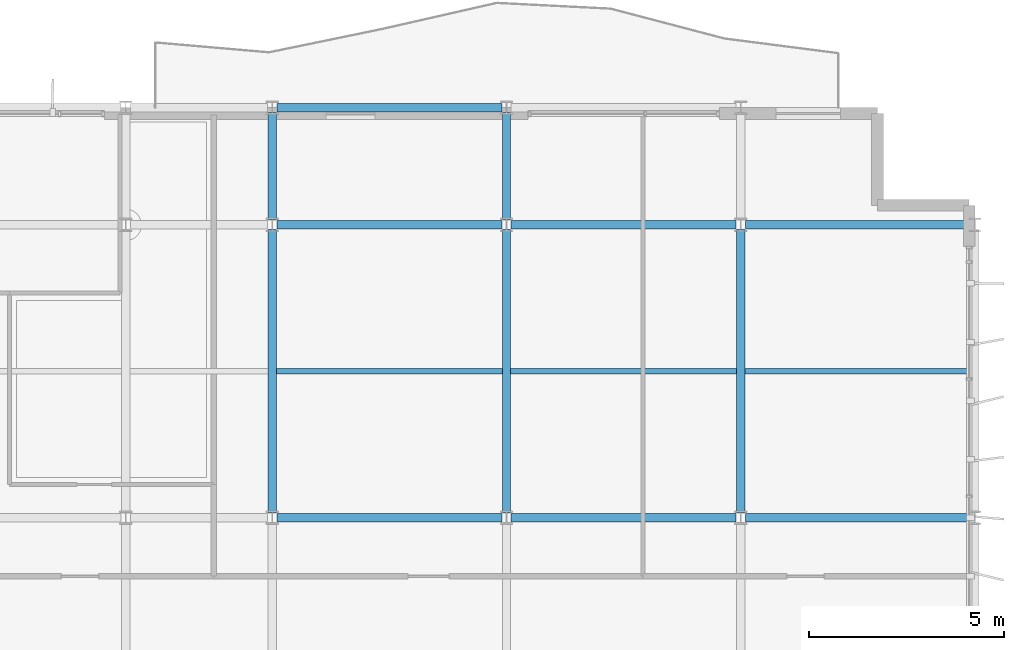
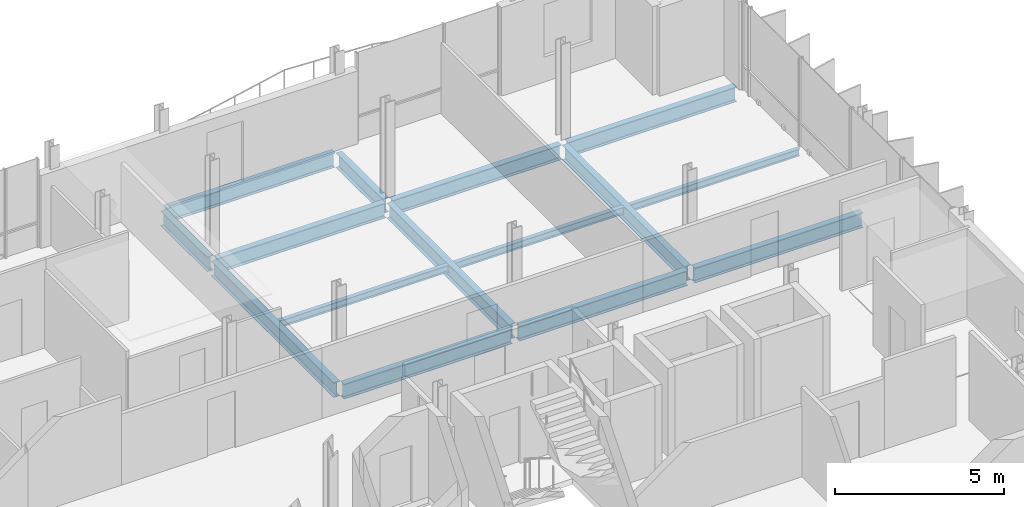
# One storey, part 3 of 12: 15 beams.
"""IFC4 building model written with IfcOpenShell, lengths in metres."""

from ifc_helpers import new_model, si_unit, direction, frame, origin, origin_2d, place, context, subcontext, project, spatial, i_section, extrude, material, material_profile, profile_set, type_object, element, save


model = new_model("IFC4")

# Units and contexts
model_context = context("Model", 3, precision=1e-05, world=origin(), true_north=direction((0.0, 1.0)))
body_context = subcontext(model_context, "Body", "Model", "MODEL_VIEW")
ifc_project = project(units=[si_unit("LENGTHUNIT", "METRE"), si_unit("AREAUNIT", "SQUARE_METRE"), si_unit("VOLUMEUNIT", "CUBIC_METRE"), si_unit("PLANEANGLEUNIT", "RADIAN"), si_unit("MASSUNIT", "GRAM", prefix="KILO")], contexts=[model_context])

# Site, building, storey
site_placement = place(None, origin())
site = spatial("IfcSite", under=ifc_project, at=site_placement, CompositionType="ELEMENT")
building_placement = place(site_placement, origin())
building = spatial("IfcBuilding", under=site, at=building_placement, Name="Brevholm Reach", CompositionType="ELEMENT")
storey_placement = place(building_placement, frame((0.0, 0.0, 236.60009765625)))
storey = spatial("IfcBuildingStorey", under=building, at=storey_placement, Name="L72", CompositionType="ELEMENT", Elevation=236.60009765625)

# Beams
ifc_material_1 = material(Name="Structural Steel S355J2", Category="steel")
ifc_material_profile_1 = material_profile(ifc_material_1, i_section(OverallWidth=0.14599609375, OverallDepth=0.25146484375, WebThickness=0.006103515625, FlangeThickness=0.008544921875, FilletRadius=0.007568359375, at=origin_2d()), Name="UKB 254x146x31")
ifc_profile_set_1 = profile_set([ifc_material_profile_1], Name="Structural Steel S355J2")
beam_type_1 = type_object("IfcBeamType", Name="BM-B254", PredefinedType="BEAM", material=ifc_profile_set_1)
for number, where, z_axis, x_axis, name in (
    (1, (42.10546875, 19.75, -0.335693359375), (1.0, 0.0, 0.0), (0.0, 1.0, 0.0), "L72 Composite Secondary Floor Beam"),
    (2, (48.10546875, 19.75, -0.335693359375), (1.0, 0.0, 0.0), (0.0, 1.0, 0.0), "L72 Composite Secondary Floor Beam"),
):
    element("IfcBeam", number, at=place(storey_placement, frame(where, z_axis=z_axis, x_axis=x_axis)), inside=storey, type_object=beam_type_1, Name=name, PredefinedType="BEAM", context=body_context, shape_type="SweptSolid", body=[
        extrude(i_section(OverallWidth=0.14599609375, OverallDepth=0.25146484375, WebThickness=0.006103515625, FlangeThickness=0.008544921875, FilletRadius=0.007568359375, at=origin_2d()), origin(), (0.0, 0.0, 1.0), 5.7890625),
    ])
beam_1_placement = place(storey_placement, frame((54.10546875, 19.75, -0.335693359375), z_axis=(1.0, 0.0, 0.0), x_axis=(0.0, 1.0, 0.0)))
element("IfcBeam", 3, at=beam_1_placement, inside=storey, type_object=beam_type_1, Name="L72 Composite Secondary Floor Beam", PredefinedType="BEAM", context=body_context, shape_type="SweptSolid", body=[
    extrude(i_section(OverallWidth=0.14599609375, OverallDepth=0.25146484375, WebThickness=0.006103515625, FlangeThickness=0.008544921875, FilletRadius=0.007568359375, at=origin_2d()), origin(), (0.0, 0.0, 1.0), 5.789794921875),
])
ifc_material_2 = material(Name="Structural Steel S355J2", Category="steel")
ifc_material_profile_2 = material_profile(ifc_material_2, i_section(OverallWidth=0.209228515625, OverallDepth=0.533203125, WebThickness=0.010009765625, FlangeThickness=0.015625, FilletRadius=0.0126953125, at=origin_2d()), Name="UKB 533x210x92")
ifc_profile_set_2 = profile_set([ifc_material_profile_2], Name="Structural Steel S355J2")
beam_type_2 = type_object("IfcBeamType", Name="BM-SP533", PredefinedType="SPANDREL", material=ifc_profile_set_2)
beam_2_placement = place(storey_placement, frame((42.1201171875, 26.5, -0.4765625), z_axis=(1.0, 0.0, 0.0), x_axis=(0.0, 1.0, 0.0)))
element("IfcBeam", 4, at=beam_2_placement, inside=storey, type_object=beam_type_2, Name="L72 SP-02 Framing Beam", PredefinedType="SPANDREL", context=body_context, shape_type="SweptSolid", body=[
    extrude(i_section(OverallWidth=0.209228515625, OverallDepth=0.533203125, WebThickness=0.010009765625, FlangeThickness=0.015625, FilletRadius=0.0126953125, at=origin_2d()), origin(), (0.0, 0.0, 1.0), 5.759765625),
])
ifc_material_3 = material(Name="Structural Steel S355J2", Category="steel")
ifc_material_profile_3 = material_profile(ifc_material_3, i_section(OverallWidth=0.210693359375, OverallDepth=0.53955078125, WebThickness=0.01171875, FlangeThickness=0.018798828125, FilletRadius=0.0126953125, at=origin_2d()), Name="UKB 533x210x109")
ifc_profile_set_3 = profile_set([ifc_material_profile_3], Name="Structural Steel S355J2")
beam_type_3 = type_object("IfcBeamType", Name="BM-SP539", PredefinedType="SPANDREL", material=ifc_profile_set_3)
for number, where, z_axis, x_axis, name in (
    (5, (42.1201171875, 16.0, -0.479736328125), (1.0, 0.0, 0.0), (0.0, 1.0, 0.0), "L72 SP-01B Framing Beam"),
    (6, (48.1201171875, 16.0, -0.479736328125), (1.0, 0.0, 0.0), (0.0, 1.0, 0.0), "L72 SP-01B Framing Beam"),
    (7, (54.1201171875, 16.0, -0.479736328125), (1.0, 0.0, 0.0), (0.0, 1.0, 0.0), "L72 SP-01B Framing Beam"),
    (8, (42.1201171875, 23.5, -0.479736328125), (1.0, 0.0, 0.0), (0.0, 1.0, 0.0), "L72 SP-01B Framing Beam"),
    (9, (48.1201171875, 23.5, -0.479736328125), (1.0, 0.0, 0.0), (0.0, 1.0, 0.0), "L72 SP-01B Framing Beam"),
    (10, (54.1201171875, 23.5, -0.479736328125), (1.0, 0.0, 0.0), (0.0, 1.0, 0.0), "L72 SP-01B Framing Beam"),
):
    element("IfcBeam", number, at=place(storey_placement, frame(where, z_axis=z_axis, x_axis=x_axis)), inside=storey, type_object=beam_type_3, Name=name, PredefinedType="SPANDREL", context=body_context, shape_type="SweptSolid", body=[
        extrude(i_section(OverallWidth=0.210693359375, OverallDepth=0.53955078125, WebThickness=0.01171875, FlangeThickness=0.018798828125, FilletRadius=0.0126953125, at=origin_2d()), origin(), (0.0, 0.0, 1.0), 5.759765625),
    ])
beam_3_placement = place(storey_placement, frame((42.0, 16.1201171875, -0.479736328125), z_axis=(0.0, 1.0, 0.0), x_axis=(-1.0, 0.0, 0.0)))
element("IfcBeam", 11, at=beam_3_placement, inside=storey, type_object=beam_type_3, Name="L72 SP-01B Framing Beam", PredefinedType="SPANDREL", context=body_context, shape_type="SweptSolid", body=[
    extrude(i_section(OverallWidth=0.210693359375, OverallDepth=0.53955078125, WebThickness=0.01171875, FlangeThickness=0.018798828125, FilletRadius=0.0126953125, at=origin_2d()), origin(), (0.0, 0.0, 1.0), 7.259765625),
])
beam_4_placement = place(storey_placement, frame((42.0, 23.6201171875, -0.479736328125), z_axis=(0.0, 1.0, 0.0), x_axis=(-1.0, 0.0, 0.0)))
element("IfcBeam", 12, at=beam_4_placement, inside=storey, type_object=beam_type_3, Name="L72 SP-01B Framing Beam", PredefinedType="SPANDREL", context=body_context, shape_type="SweptSolid", body=[
    extrude(i_section(OverallWidth=0.210693359375, OverallDepth=0.53955078125, WebThickness=0.01171875, FlangeThickness=0.018798828125, FilletRadius=0.0126953125, at=origin_2d()), origin(), (0.0, 0.0, 1.0), 2.759765625),
])
beam_5_placement = place(storey_placement, frame((48.0, 16.1201171875, -0.479736328125), z_axis=(0.0, 1.0, 0.0), x_axis=(-1.0, 0.0, 0.0)))
element("IfcBeam", 13, at=beam_5_placement, inside=storey, type_object=beam_type_3, Name="L72 SP-01B Framing Beam", PredefinedType="SPANDREL", context=body_context, shape_type="SweptSolid", body=[
    extrude(i_section(OverallWidth=0.210693359375, OverallDepth=0.53955078125, WebThickness=0.01171875, FlangeThickness=0.018798828125, FilletRadius=0.0126953125, at=origin_2d()), origin(), (0.0, 0.0, 1.0), 7.259765625),
])
beam_6_placement = place(storey_placement, frame((48.0, 23.6201171875, -0.479736328125), z_axis=(0.0, 1.0, 0.0), x_axis=(-1.0, 0.0, 0.0)))
element("IfcBeam", 14, at=beam_6_placement, inside=storey, type_object=beam_type_3, Name="L72 SP-01B Framing Beam", PredefinedType="SPANDREL", context=body_context, shape_type="SweptSolid", body=[
    extrude(i_section(OverallWidth=0.210693359375, OverallDepth=0.53955078125, WebThickness=0.01171875, FlangeThickness=0.018798828125, FilletRadius=0.0126953125, at=origin_2d()), origin(), (0.0, 0.0, 1.0), 2.759765625),
])
beam_7_placement = place(storey_placement, frame((54.0, 16.1201171875, -0.479736328125), z_axis=(0.0, 1.0, 0.0), x_axis=(-1.0, 0.0, 0.0)))
element("IfcBeam", 15, at=beam_7_placement, inside=storey, type_object=beam_type_3, Name="L72 SP-01B Framing Beam", PredefinedType="SPANDREL", context=body_context, shape_type="SweptSolid", body=[
    extrude(i_section(OverallWidth=0.210693359375, OverallDepth=0.53955078125, WebThickness=0.01171875, FlangeThickness=0.018798828125, FilletRadius=0.0126953125, at=origin_2d()), origin(), (0.0, 0.0, 1.0), 7.259765625),
])

save(model, "model.ifc")
